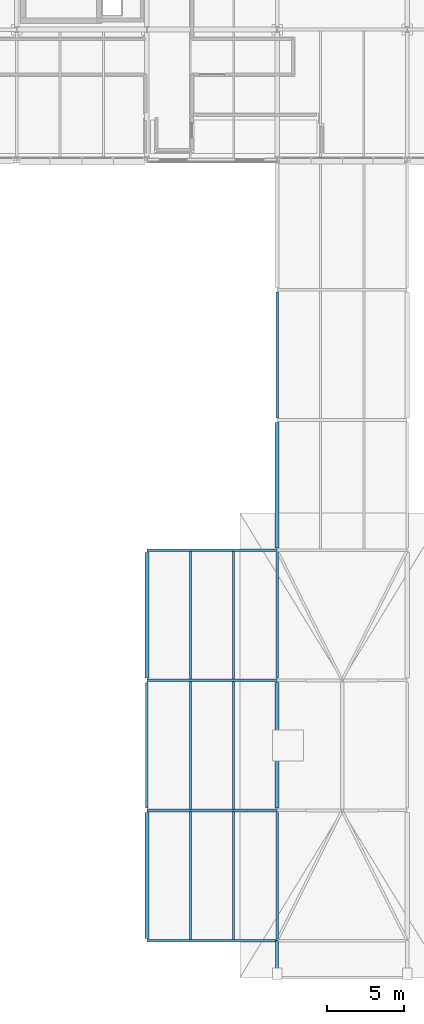
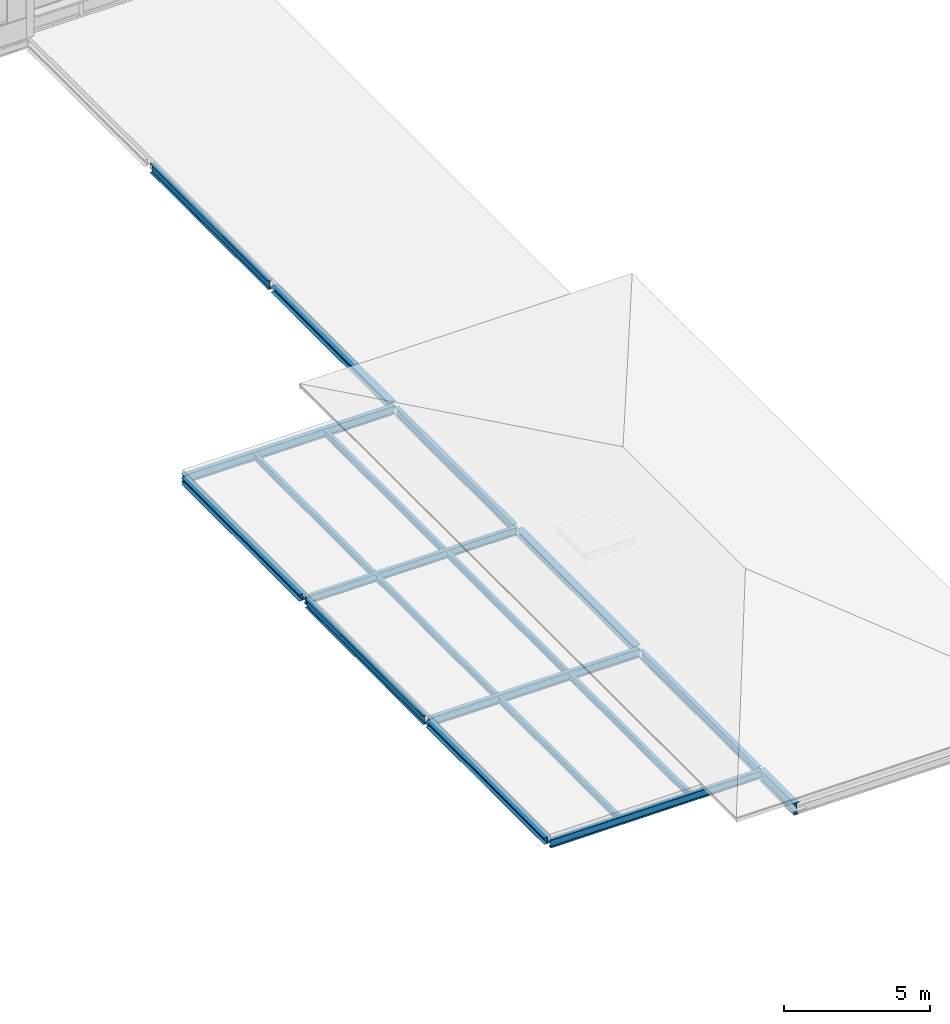
# One storey, part 10 of 57: 19 beams.
"""IFC4 building model written with IfcOpenShell, lengths in metres."""

from ifc_helpers import new_model, si_unit, direction, frame, origin, origin_2d, place, context, subcontext, project, spatial, i_section, extrude, material, material_profile, profile_set, type_object, element, save


model = new_model("IFC4")

# Units and contexts
model_context = context("Model", 3, precision=1e-05, world=origin(), true_north=direction((0.0, 1.0)))
body_context = subcontext(model_context, "Body", "Model", "MODEL_VIEW")
ifc_project = project(units=[si_unit("LENGTHUNIT", "METRE"), si_unit("AREAUNIT", "SQUARE_METRE"), si_unit("VOLUMEUNIT", "CUBIC_METRE"), si_unit("PLANEANGLEUNIT", "RADIAN"), si_unit("MASSUNIT", "GRAM", prefix="KILO")], contexts=[model_context])

# Site, building, storey
site_placement = place(None, origin())
site = spatial("IfcSite", under=ifc_project, at=site_placement, CompositionType="ELEMENT")
building_placement = place(site_placement, origin())
building = spatial("IfcBuilding", under=site, at=building_placement, Name="Mersafa Astral City Hall", CompositionType="ELEMENT")
storey_placement = place(building_placement, frame((0.0, 0.0, 26.10009765625)))
storey = spatial("IfcBuildingStorey", under=building, at=storey_placement, Name="L06", CompositionType="ELEMENT", Elevation=26.10009765625)

# Beams
ifc_material = material(Name="Steel S355", Category="steel")
ifc_material_profile_1 = material_profile(ifc_material, i_section(OverallWidth=0.199951171875, OverallDepth=0.5, WebThickness=0.01025390625, FlangeThickness=0.01611328125, FilletRadius=0.02099609375, at=origin_2d()), Name="IPE 500")
ifc_profile_set_1 = profile_set([ifc_material_profile_1], Name="Steel S355")
beam_type_1 = type_object("IfcBeamType", Name="STR-BM-IPE500", PredefinedType="BEAM", material=ifc_profile_set_1)
beam_1_placement = place(storey_placement, frame((168.0, 50.39990234375, -0.41015625), z_axis=(0.0, -1.0, 0.0), x_axis=(1.0, 0.0, 0.0)))
element("IfcBeam", 1, at=beam_1_placement, inside=storey, type_object=beam_type_1, Name="L06 Cantilevered eave beam ROOF-T4B-V5 S-20", PredefinedType="BEAM", context=body_context, shape_type="SweptSolid", body=[
    extrude(i_section(OverallWidth=0.199951171875, OverallDepth=0.5, WebThickness=0.01025390625, FlangeThickness=0.01611328125, FilletRadius=0.02099609375, at=origin_2d()), origin(), (0.0, 0.0, 1.0), 2.39990234375),
])
ifc_material_profile_2 = material_profile(ifc_material, i_section(OverallWidth=0.135009765625, OverallDepth=0.27001953125, WebThickness=0.006591796875, FlangeThickness=0.01025390625, FilletRadius=0.014892578125, at=origin_2d()), Name="IPE 270")
ifc_profile_set_2 = profile_set([ifc_material_profile_2], Name="Steel S355")
beam_type_2 = type_object("IfcBeamType", Name="STR-BM-JOIST-IPE270", PredefinedType="JOIST", material=ifc_profile_set_2)
for number, where, z_axis, x_axis, name in (
    (2, (162.39990234375, 50.47509765625, -0.335205078125), (0.0, 1.0, 0.0), (-1.0, 0.0, 0.0), "L06 Flat roof secondary joist 1"),
    (3, (165.199951171875, 50.47509765625, -0.335205078125), (0.0, 1.0, 0.0), (-1.0, 0.0, 0.0), "L06 Flat roof secondary joist 2"),
):
    element("IfcBeam", number, at=place(storey_placement, frame(where, z_axis=z_axis, x_axis=x_axis)), inside=storey, type_object=beam_type_2, Name=name, PredefinedType="JOIST", context=body_context, shape_type="SweptSolid", body=[
        extrude(i_section(OverallWidth=0.135009765625, OverallDepth=0.27001953125, WebThickness=0.006591796875, FlangeThickness=0.01025390625, FilletRadius=0.014892578125, at=origin_2d()), origin(), (0.0, 0.0, 1.0), 8.244873046875),
    ])
for number, where, z_axis, x_axis, name in (
    (4, (162.39990234375, 58.8798828125, -0.335205078125), (0.0, 1.0, 0.0), (-1.0, 0.0, 0.0), "L06 Flat roof secondary joist 3"),
    (5, (165.199951171875, 58.8798828125, -0.335205078125), (0.0, 1.0, 0.0), (-1.0, 0.0, 0.0), "L06 Flat roof secondary joist 4"),
    (6, (162.39990234375, 67.27490234375, -0.335205078125), (0.0, 1.0, 0.0), (-1.0, 0.0, 0.0), "L06 Flat roof secondary joist 5"),
    (7, (165.199951171875, 67.27490234375, -0.335205078125), (0.0, 1.0, 0.0), (-1.0, 0.0, 0.0), "L06 Flat roof secondary joist 6"),
):
    element("IfcBeam", number, at=place(storey_placement, frame(where, z_axis=z_axis, x_axis=x_axis)), inside=storey, type_object=beam_type_2, Name=name, PredefinedType="JOIST", context=body_context, shape_type="SweptSolid", body=[
        extrude(i_section(OverallWidth=0.135009765625, OverallDepth=0.27001953125, WebThickness=0.006591796875, FlangeThickness=0.01025390625, FilletRadius=0.014892578125, at=origin_2d()), origin(), (0.0, 0.0, 1.0), 8.2451171875),
    ])
ifc_material_profile_3 = material_profile(ifc_material, i_section(OverallWidth=0.280029296875, OverallDepth=0.27001953125, WebThickness=0.008056640625, FlangeThickness=0.012939453125, FilletRadius=0.02392578125, at=origin_2d()), Name="HEA 280")
ifc_profile_set_3 = profile_set([ifc_material_profile_3], Name="Steel S355")
beam_type_3 = type_object("IfcBeamType", Name="STR-BM-SPANDREL-HEA280", PredefinedType="SPANDREL", material=ifc_profile_set_3)
for number, where, z_axis, x_axis, name in (
    (8, (159.60009765625, 50.544921875, -0.335205078125), (0.0, 1.0, 0.0), (-1.0, 0.0, 0.0), "L06 Primary girder Y 19-6"),
    (9, (159.60009765625, 67.344970703125, -0.335205078125), (0.0, 1.0, 0.0), (-1.0, 0.0, 0.0), "L06 Primary girder Y 19-8"),
):
    element("IfcBeam", number, at=place(storey_placement, frame(where, z_axis=z_axis, x_axis=x_axis)), inside=storey, type_object=beam_type_3, Name=name, PredefinedType="SPANDREL", context=body_context, shape_type="SweptSolid", body=[
        extrude(i_section(OverallWidth=0.280029296875, OverallDepth=0.27001953125, WebThickness=0.008056640625, FlangeThickness=0.012939453125, FilletRadius=0.02392578125, at=origin_2d()), origin(), (0.0, 0.0, 1.0), 8.110107421875),
    ])
for number, where, z_axis, x_axis, name in (
    (10, (168.0, 58.945068359375, -0.335205078125), (0.0, 1.0, 0.0), (-1.0, 0.0, 0.0), "L06 Primary girder Y 20-7"),
    (11, (168.0, 75.7451171875, -0.335205078125), (0.0, 1.0, 0.0), (-1.0, 0.0, 0.0), "L06 Primary girder Y 20-9"),
):
    element("IfcBeam", number, at=place(storey_placement, frame(where, z_axis=z_axis, x_axis=x_axis)), inside=storey, type_object=beam_type_3, Name=name, PredefinedType="SPANDREL", context=body_context, shape_type="SweptSolid", body=[
        extrude(i_section(OverallWidth=0.280029296875, OverallDepth=0.27001953125, WebThickness=0.008056640625, FlangeThickness=0.012939453125, FilletRadius=0.02392578125, at=origin_2d()), origin(), (0.0, 0.0, 1.0), 8.10986328125),
    ])
ifc_material_profile_4 = material_profile(ifc_material, i_section(OverallWidth=0.159912109375, OverallDepth=0.330078125, WebThickness=0.007568359375, FlangeThickness=0.011474609375, FilletRadius=0.01806640625, at=origin_2d()), Name="IPE 330")
ifc_profile_set_4 = profile_set([ifc_material_profile_4], Name="Steel S355")
beam_type_4 = type_object("IfcBeamType", Name="STR-BM-SPANDREL-IPE330", PredefinedType="SPANDREL", material=ifc_profile_set_4)
for number, where, z_axis, x_axis, name in (
    (12, (159.60302734375, 50.39990234375, -0.364990234375), (1.0, 0.0, 0.0), (0.0, 1.0, 0.0), "L06 Primary girder X 19-6"),
    (13, (159.60302734375, 67.199951171875, -0.364990234375), (1.0, 0.0, 0.0), (0.0, 1.0, 0.0), "L06 Primary girder X 19-8"),
):
    element("IfcBeam", number, at=place(storey_placement, frame(where, z_axis=z_axis, x_axis=x_axis)), inside=storey, type_object=beam_type_4, Name=name, PredefinedType="SPANDREL", context=body_context, shape_type="SweptSolid", body=[
        extrude(i_section(OverallWidth=0.159912109375, OverallDepth=0.330078125, WebThickness=0.007568359375, FlangeThickness=0.011474609375, FilletRadius=0.01806640625, at=origin_2d()), origin(), (0.0, 0.0, 1.0), 8.39404296875),
    ])
ifc_material_profile_5 = material_profile(ifc_material, i_section(OverallWidth=0.169921875, OverallDepth=0.360107421875, WebThickness=0.008056640625, FlangeThickness=0.0126953125, FilletRadius=0.01806640625, at=origin_2d()), Name="IPE 360")
ifc_profile_set_5 = profile_set([ifc_material_profile_5], Name="Steel S355")
beam_type_5 = type_object("IfcBeamType", Name="STR-BM-SPANDREL-IPE360", PredefinedType="SPANDREL", material=ifc_profile_set_5)
for number, where, z_axis, x_axis, name in (
    (14, (159.60302734375, 58.800048828125, -0.380126953125), (1.0, 0.0, 0.0), (0.0, 1.0, 0.0), "L06 Primary girder X 19-7"),
    (15, (159.60302734375, 75.60009765625, -0.380126953125), (1.0, 0.0, 0.0), (0.0, 1.0, 0.0), "L06 Primary girder X 19-9"),
):
    element("IfcBeam", number, at=place(storey_placement, frame(where, z_axis=z_axis, x_axis=x_axis)), inside=storey, type_object=beam_type_5, Name=name, PredefinedType="SPANDREL", context=body_context, shape_type="SweptSolid", body=[
        extrude(i_section(OverallWidth=0.169921875, OverallDepth=0.360107421875, WebThickness=0.008056640625, FlangeThickness=0.0126953125, FilletRadius=0.01806640625, at=origin_2d()), origin(), (0.0, 0.0, 1.0), 8.39404296875),
    ])
beam_2_placement = place(storey_placement, frame((159.60009765625, 58.945068359375, -0.380126953125), z_axis=(0.0, 1.0, 0.0), x_axis=(-1.0, 0.0, 0.0)))
element("IfcBeam", 16, at=beam_2_placement, inside=storey, type_object=beam_type_5, Name="L06 Primary girder Y 19-7", PredefinedType="SPANDREL", context=body_context, shape_type="SweptSolid", body=[
    extrude(i_section(OverallWidth=0.169921875, OverallDepth=0.360107421875, WebThickness=0.008056640625, FlangeThickness=0.0126953125, FilletRadius=0.01806640625, at=origin_2d()), origin(), (0.0, 0.0, 1.0), 8.10986328125),
])
for number, where, z_axis, x_axis, name in (
    (17, (168.0, 50.544921875, -0.380126953125), (0.0, 1.0, 0.0), (-1.0, 0.0, 0.0), "L06 Primary girder Y 20-6"),
    (18, (168.0, 67.344970703125, -0.380126953125), (0.0, 1.0, 0.0), (-1.0, 0.0, 0.0), "L06 Primary girder Y 20-8"),
):
    element("IfcBeam", number, at=place(storey_placement, frame(where, z_axis=z_axis, x_axis=x_axis)), inside=storey, type_object=beam_type_5, Name=name, PredefinedType="SPANDREL", context=body_context, shape_type="SweptSolid", body=[
        extrude(i_section(OverallWidth=0.169921875, OverallDepth=0.360107421875, WebThickness=0.008056640625, FlangeThickness=0.0126953125, FilletRadius=0.01806640625, at=origin_2d()), origin(), (0.0, 0.0, 1.0), 8.110107421875),
    ])
beam_3_placement = place(storey_placement, frame((168.0, 84.14501953125, -0.380126953125), z_axis=(0.0, 1.0, 0.0), x_axis=(-1.0, 0.0, 0.0)))
element("IfcBeam", 19, at=beam_3_placement, inside=storey, type_object=beam_type_5, Name="L06 Primary girder Y 20-10", PredefinedType="SPANDREL", context=body_context, shape_type="SweptSolid", body=[
    extrude(i_section(OverallWidth=0.169921875, OverallDepth=0.360107421875, WebThickness=0.008056640625, FlangeThickness=0.0126953125, FilletRadius=0.01806640625, at=origin_2d()), origin(), (0.0, 0.0, 1.0), 8.10986328125),
])

save(model, "model.ifc")
